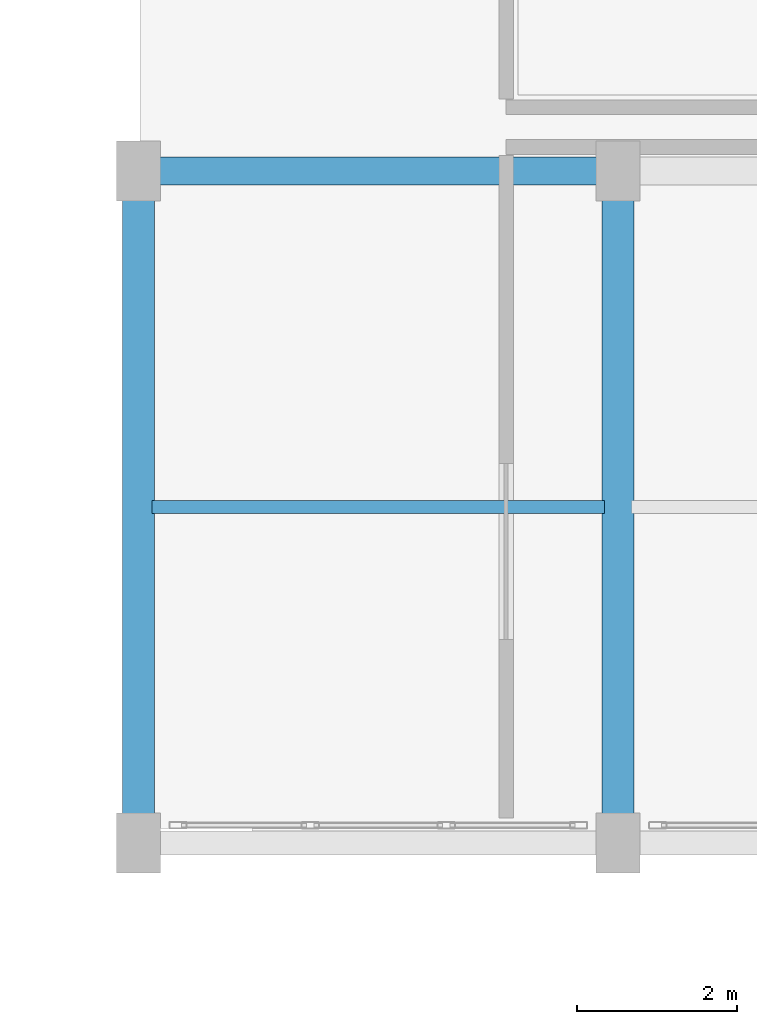
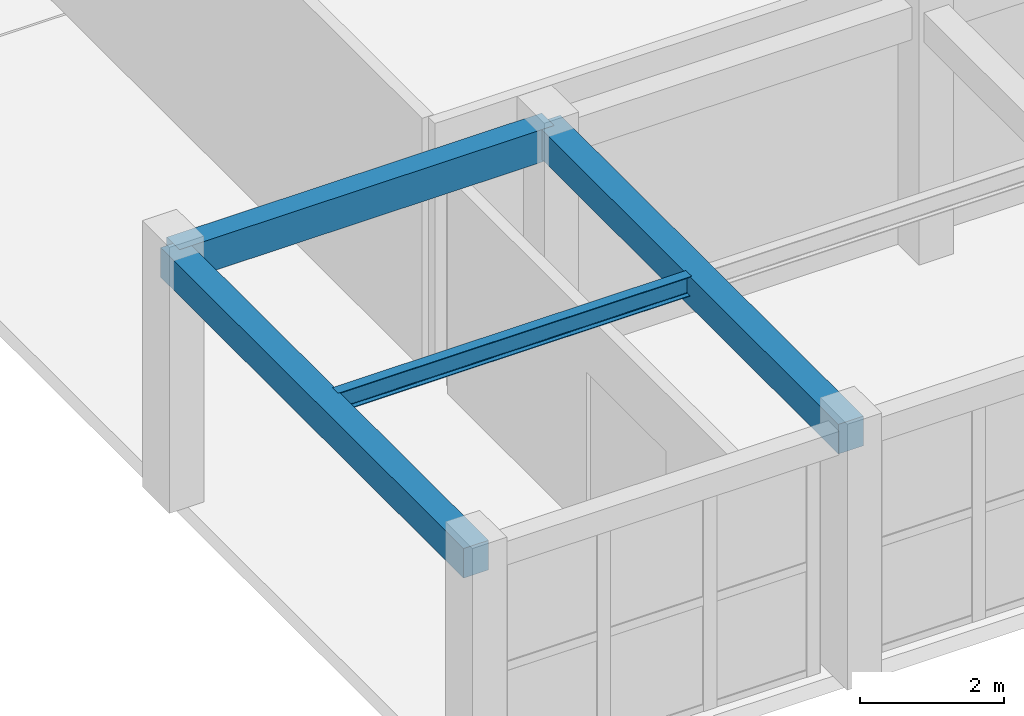
# One storey, part 31 of 91: 4 beams.
"""IFC4 building model written with IfcOpenShell, lengths in metres."""

from ifc_helpers import new_model, si_unit, direction, frame, origin, origin_2d, place, context, subcontext, project, spatial, rectangle, i_section, extrude, material, material_profile, profile_set, type_object, element, save


model = new_model("IFC4")

# Units and contexts
model_context = context("Model", 3, precision=1e-05, world=origin(), true_north=direction((0.0, 1.0)))
body_context = subcontext(model_context, "Body", "Model", "MODEL_VIEW")
ifc_project = project(units=[si_unit("LENGTHUNIT", "METRE"), si_unit("AREAUNIT", "SQUARE_METRE"), si_unit("VOLUMEUNIT", "CUBIC_METRE"), si_unit("PLANEANGLEUNIT", "RADIAN"), si_unit("MASSUNIT", "GRAM", prefix="KILO")], contexts=[model_context])

# Site, building, storey
site_placement = place(None, origin())
site = spatial("IfcSite", under=ifc_project, at=site_placement, CompositionType="ELEMENT")
building_placement = place(site_placement, origin())
building = spatial("IfcBuilding", under=site, at=building_placement, Name="Tarnavel Promenade Courthouse", CompositionType="ELEMENT")
storey_placement = place(building_placement, frame((0.0, 0.0, 9.89990234375)))
storey = spatial("IfcBuildingStorey", under=building, at=storey_placement, Name="L03", CompositionType="ELEMENT", Elevation=9.89990234375)

# Beams
ifc_material_1 = material(Name="Concrete C40/50", Category="concrete")
ifc_material_profile_1 = material_profile(ifc_material_1, rectangle(XDim=0.35009765625, YDim=0.550048828125, at=origin_2d()), Name="RC 350x550")
ifc_profile_set_1 = profile_set([ifc_material_profile_1], Name="Concrete C40/50")
beam_type_1 = type_object("IfcBeamType", Name="Concrete C40/50 BM-RC-350x550 (RC 350x550)", PredefinedType="BEAM", material=ifc_profile_set_1)
beam_1_placement = place(storey_placement, frame((120.0, 37.199951171875, 3.97021484375), z_axis=(1.0, 0.0, 0.0), x_axis=(0.0, 1.0, 0.0)))
element("IfcBeam", 1, at=beam_1_placement, inside=storey, type_object=beam_type_1, Name="L03 Primary Longitudinal Beam 1560", PredefinedType="BEAM", context=body_context, shape_type="SweptSolid", body=[
    extrude(rectangle(XDim=0.35009765625, YDim=0.550048828125, at=origin_2d()), origin(), (0.0, 0.0, 1.0), 6.0),
])
ifc_material_profile_2 = material_profile(ifc_material_1, rectangle(XDim=0.39990234375, YDim=0.5, at=origin_2d()), Name="RC 400x500")
ifc_profile_set_2 = profile_set([ifc_material_profile_2], Name="Concrete C40/50")
beam_type_2 = type_object("IfcBeamType", Name="Concrete C40/50 BM-RC-400x500 (RC 400x500)", PredefinedType="BEAM", material=ifc_profile_set_2)
for number, where, z_axis, x_axis, name in (
    (2, (120.0, 28.800048828125, 3.9951171875), (0.0, 1.0, 0.0), (-1.0, 0.0, 0.0), "L03 Transverse Girder 1780"),
    (3, (126.0, 28.800048828125, 3.9951171875), (0.0, 1.0, 0.0), (-1.0, 0.0, 0.0), "L03 Transverse Girder 1787"),
):
    element("IfcBeam", number, at=place(storey_placement, frame(where, z_axis=z_axis, x_axis=x_axis)), inside=storey, type_object=beam_type_2, Name=name, PredefinedType="BEAM", context=body_context, shape_type="SweptSolid", body=[
        extrude(rectangle(XDim=0.39990234375, YDim=0.5, at=origin_2d()), origin(), (0.0, 0.0, 1.0), 8.39990234375),
    ])
ifc_material_2 = material(Name="Steel S355J2", Category="steel")
ifc_material_profile_3 = material_profile(ifc_material_2, i_section(OverallWidth=0.159912109375, OverallDepth=0.330078125, WebThickness=0.007568359375, FlangeThickness=0.011474609375, FilletRadius=0.01806640625, at=origin_2d()), Name="IPE 330")
ifc_profile_set_3 = profile_set([ifc_material_profile_3], Name="Steel S355J2")
beam_type_3 = type_object("IfcBeamType", Name="Steel S355J2 BM-ST-IPE330 (IPE 330)", PredefinedType="JOIST", material=ifc_profile_set_3)
beam_2_placement = place(storey_placement, frame((120.169921875, 33.0, 4.080078125), z_axis=(1.0, 0.0, 0.0), x_axis=(0.0, 1.0, 0.0)))
element("IfcBeam", 4, at=beam_2_placement, inside=storey, type_object=beam_type_3, Name="L03 Secondary Floor Rib 1824", PredefinedType="JOIST", context=body_context, shape_type="SweptSolid", body=[
    extrude(i_section(OverallWidth=0.159912109375, OverallDepth=0.330078125, WebThickness=0.007568359375, FlangeThickness=0.011474609375, FilletRadius=0.01806640625, at=origin_2d()), origin(), (0.0, 0.0, 1.0), 5.66015625),
])

save(model, "model.ifc")
